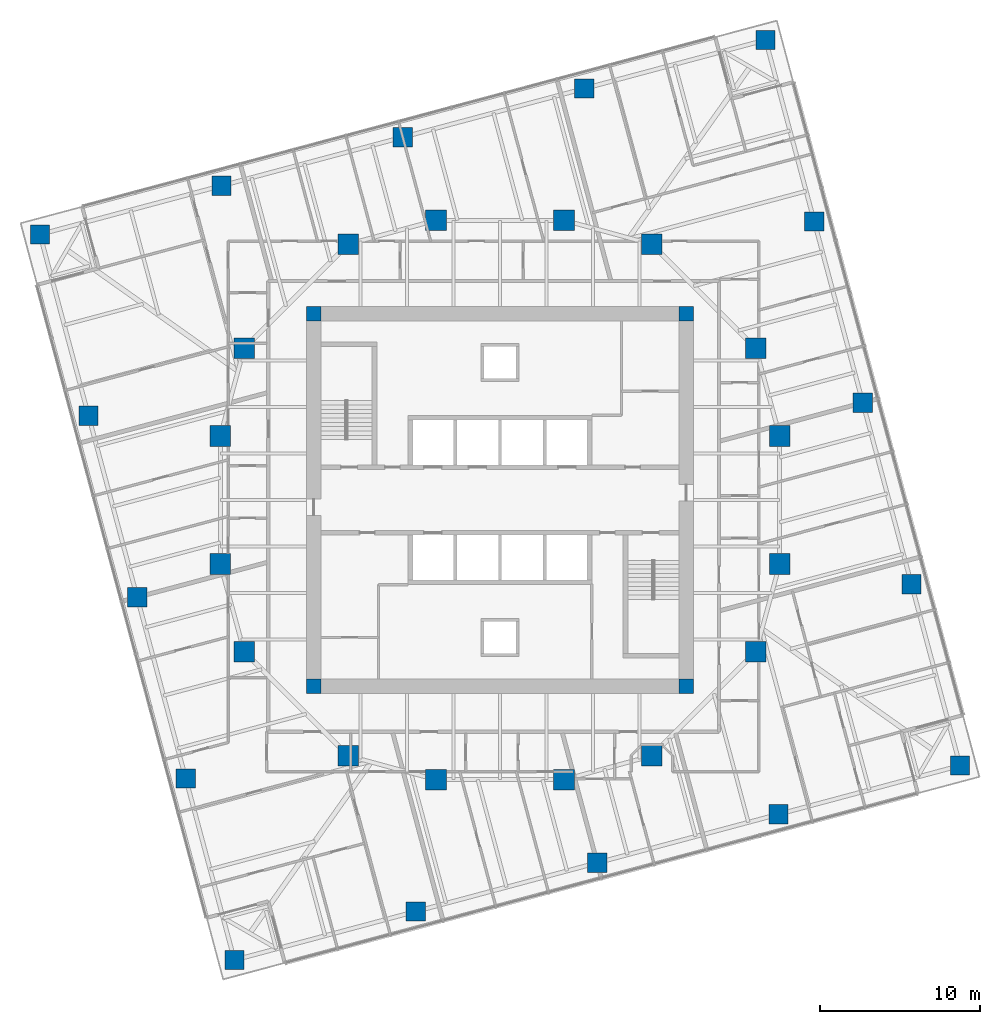
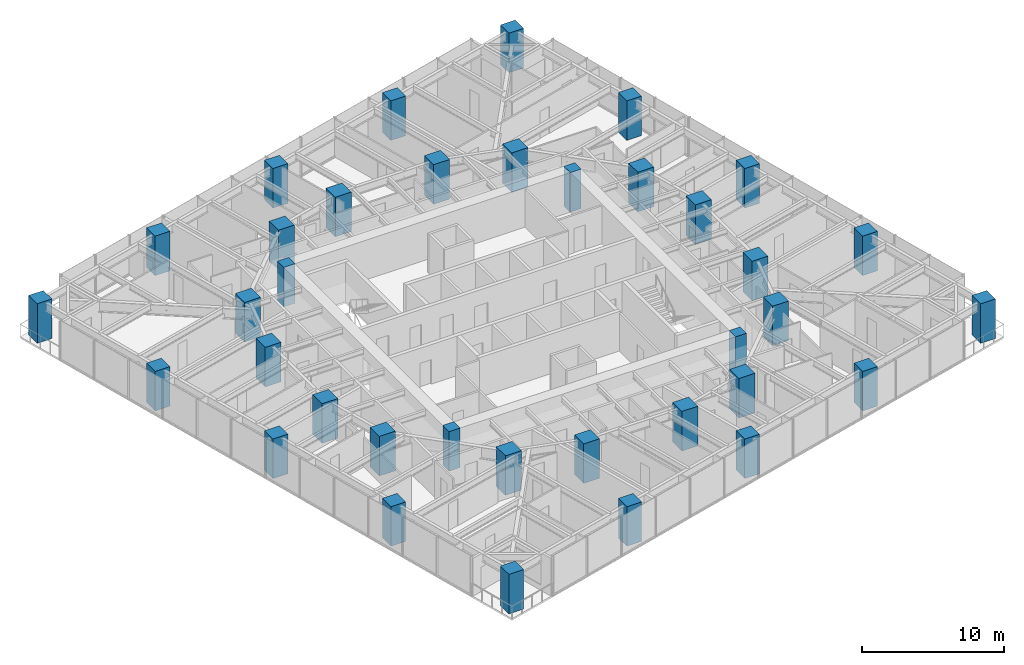
# One storey, part 1 of 14: 36 columns.
"""IFC4 building model written with IfcOpenShell, lengths in metres."""

from ifc_helpers import new_model, si_unit, direction, frame, origin, origin_2d, place, context, subcontext, project, spatial, rectangle, extrude, material, material_profile, profile_set, type_object, element, save


model = new_model("IFC4")

# Units and contexts
model_context = context("Model", 3, precision=1e-05, world=origin(), true_north=direction((0.0, 1.0)))
body_context = subcontext(model_context, "Body", "Model", "MODEL_VIEW")
ifc_project = project(units=[si_unit("LENGTHUNIT", "METRE"), si_unit("AREAUNIT", "SQUARE_METRE"), si_unit("VOLUMEUNIT", "CUBIC_METRE"), si_unit("PLANEANGLEUNIT", "RADIAN"), si_unit("MASSUNIT", "GRAM", prefix="KILO")], contexts=[model_context])

# Site, building, storey
site_placement = place(None, origin())
site = spatial("IfcSite", under=ifc_project, at=site_placement, CompositionType="ELEMENT")
building_placement = place(site_placement, origin())
building = spatial("IfcBuilding", under=site, at=building_placement, Name="Torsade Residences", CompositionType="ELEMENT")
storey_placement = place(building_placement, frame((0.0, 0.0, 125.199951171875)))
storey = spatial("IfcBuildingStorey", under=building, at=storey_placement, Name="L34", CompositionType="ELEMENT", Elevation=125.199951171875)

# Columns
ifc_material_1 = material(Name="Concrete 80 MPa", Category="concrete")
ifc_material_profile_1 = material_profile(ifc_material_1, rectangle(XDim=0.89990234375, YDim=0.89990234375, at=origin_2d()), Name="RC 900x900")
ifc_profile_set_1 = profile_set([ifc_material_profile_1], Name="Concrete 80 MPa")
column_type_1 = type_object("IfcColumnType", Name="CORE CORNER COLUMN RC 900x900", PredefinedType="COLUMN", material=ifc_profile_set_1)
for number, where, z_axis, x_axis, name in (
    (1, (28.35009765625, 18.35009765625, 0.0), (0.0, 0.0, 1.0), (1.0, 0.0, 0.0), "Core corner column CC1 L34"),
    (2, (51.64990234375, 18.35009765625, 0.0), (0.0, 0.0, 1.0), (1.0, 0.0, 0.0), "Core corner column CC2 L34"),
    (3, (51.64990234375, 41.64990234375, 0.0), (0.0, 0.0, 1.0), (1.0, 0.0, 0.0), "Core corner column CC3 L34"),
    (4, (28.35009765625, 41.64990234375, 0.0), (0.0, 0.0, 1.0), (1.0, 0.0, 0.0), "Core corner column CC4 L34"),
):
    element("IfcColumn", number, at=place(storey_placement, frame(where, z_axis=z_axis, x_axis=x_axis)), inside=storey, type_object=column_type_1, Name=name, PredefinedType="COLUMN", context=body_context, shape_type="SweptSolid", body=[
        extrude(rectangle(XDim=0.89990234375, YDim=0.89990234375, at=origin_2d()), origin(), (0.0, 0.0, 1.0), 3.400146484375),
    ])
ifc_material_2 = material(Name="Concrete 80 MPa", Category="concrete")
ifc_material_profile_2 = material_profile(ifc_material_2, rectangle(XDim=1.300048828125, YDim=1.300048828125, at=origin_2d()), Name="RC 1300x1300")
ifc_profile_set_2 = profile_set([ifc_material_profile_2], Name="Concrete 80 MPa")
column_type_2 = type_object("IfcColumnType", Name="INNER RING COLUMN RC 1300x1300", PredefinedType="COLUMN", material=ifc_profile_set_2)
for number, where, z_axis, x_axis, name in (
    (5, (57.5, 26.0, 0.0), (0.0, 0.0, 1.0), (1.0, 0.0, 0.0), "Inner ring column IR01 L34"),
    (6, (57.5, 34.0, 0.0), (0.0, 0.0, 1.0), (1.0, 0.0, 0.0), "Inner ring column IR02 L34"),
    (7, (56.0, 39.5, 0.0), (0.0, 0.0, 1.0), (1.0, 0.0, 0.0), "Inner ring column IR03 L34"),
    (8, (49.5, 46.0, 0.0), (0.0, 0.0, 1.0), (1.0, 0.0, 0.0), "Inner ring column IR04 L34"),
    (9, (44.0, 47.5, 0.0), (0.0, 0.0, 1.0), (1.0, 0.0, 0.0), "Inner ring column IR05 L34"),
    (10, (36.0, 47.5, 0.0), (0.0, 0.0, 1.0), (1.0, 0.0, 0.0), "Inner ring column IR06 L34"),
    (11, (30.5, 46.0, 0.0), (0.0, 0.0, 1.0), (1.0, 0.0, 0.0), "Inner ring column IR07 L34"),
    (12, (24.0, 39.5, 0.0), (0.0, 0.0, 1.0), (1.0, 0.0, 0.0), "Inner ring column IR08 L34"),
    (13, (22.5, 34.0, 0.0), (0.0, 0.0, 1.0), (1.0, 0.0, 0.0), "Inner ring column IR09 L34"),
    (14, (22.5, 26.0, 0.0), (0.0, 0.0, 1.0), (1.0, 0.0, 0.0), "Inner ring column IR10 L34"),
    (15, (24.0, 20.5, 0.0), (0.0, 0.0, 1.0), (1.0, 0.0, 0.0), "Inner ring column IR11 L34"),
    (16, (30.5, 14.0, 0.0), (0.0, 0.0, 1.0), (1.0, 0.0, 0.0), "Inner ring column IR12 L34"),
    (17, (36.0, 12.5, 0.0), (0.0, 0.0, 1.0), (1.0, 0.0, 0.0), "Inner ring column IR13 L34"),
    (18, (44.0, 12.5, 0.0), (0.0, 0.0, 1.0), (1.0, 0.0, 0.0), "Inner ring column IR14 L34"),
    (19, (49.5, 14.0, 0.0), (0.0, 0.0, 1.0), (1.0, 0.0, 0.0), "Inner ring column IR15 L34"),
    (20, (56.0, 20.5, 0.0), (0.0, 0.0, 1.0), (1.0, 0.0, 0.0), "Inner ring column IR16 L34"),
):
    element("IfcColumn", number, at=place(storey_placement, frame(where, z_axis=z_axis, x_axis=x_axis)), inside=storey, type_object=column_type_2, Name=name, PredefinedType="COLUMN", context=body_context, shape_type="SweptSolid", body=[
        extrude(rectangle(XDim=1.300048828125, YDim=1.300048828125, at=origin_2d()), origin(), (0.0, 0.0, 1.0), 3.400146484375),
    ])
ifc_material_3 = material(Name="Concrete 80 MPa", Category="concrete")
ifc_material_profile_3 = material_profile(ifc_material_3, rectangle(XDim=1.199951171875, YDim=1.199951171875, at=origin_2d()), Name="RC 1200x1200")
ifc_profile_set_3 = profile_set([ifc_material_profile_3], Name="Concrete 80 MPa")
column_type_3 = type_object("IfcColumnType", Name="TOWER COLUMN RC 1200x1200", PredefinedType="COLUMN", material=ifc_profile_set_3)
for number, where, z_axis, x_axis, name in (
    (21, (23.383056640625, 1.218505859375, 0.0), (0.0, 0.0, 1.0), (1.0, 0.0, 0.0), "Column TC4-01 L34"),
    (22, (34.732666015625, 4.259521484375, 0.0), (0.0, 0.0, 1.0), (1.0, 0.0, 0.0), "Column TC4-02 L34"),
    (23, (46.082275390625, 7.30078125, 0.0), (0.0, 0.0, 1.0), (1.0, 0.0, 0.0), "Column TC4-03 L34"),
    (24, (57.431884765625, 10.341796875, 0.0), (0.0, 0.0, 1.0), (1.0, 0.0, 0.0), "Column TC4-04 L34"),
    (25, (68.781494140625, 13.383056640625, 0.0), (0.0, 0.0, 1.0), (1.0, 0.0, 0.0), "Column TC4-05 L34"),
    (26, (65.740478515625, 24.732666015625, 0.0), (0.0, 0.0, 1.0), (1.0, 0.0, 0.0), "Column TC4-06 L34"),
    (27, (62.69921875, 36.082275390625, 0.0), (0.0, 0.0, 1.0), (1.0, 0.0, 0.0), "Column TC4-07 L34"),
    (28, (59.658203125, 47.431884765625, 0.0), (0.0, 0.0, 1.0), (1.0, 0.0, 0.0), "Column TC4-08 L34"),
    (29, (56.616943359375, 58.781494140625, 0.0), (0.0, 0.0, 1.0), (1.0, 0.0, 0.0), "Column TC4-09 L34"),
    (30, (45.267333984375, 55.740478515625, 0.0), (0.0, 0.0, 1.0), (1.0, 0.0, 0.0), "Column TC4-10 L34"),
    (31, (33.917724609375, 52.69921875, 0.0), (0.0, 0.0, 1.0), (1.0, 0.0, 0.0), "Column TC4-11 L34"),
    (32, (22.568115234375, 49.658203125, 0.0), (0.0, 0.0, 1.0), (1.0, 0.0, 0.0), "Column TC4-12 L34"),
    (33, (11.218505859375, 46.616943359375, 0.0), (0.0, 0.0, 1.0), (1.0, 0.0, 0.0), "Column TC4-13 L34"),
    (34, (14.259521484375, 35.267333984375, 0.0), (0.0, 0.0, 1.0), (1.0, 0.0, 0.0), "Column TC4-14 L34"),
    (35, (17.30078125, 23.917724609375, 0.0), (0.0, 0.0, 1.0), (1.0, 0.0, 0.0), "Column TC4-15 L34"),
    (36, (20.341796875, 12.568115234375, 0.0), (0.0, 0.0, 1.0), (1.0, 0.0, 0.0), "Column TC4-16 L34"),
):
    element("IfcColumn", number, at=place(storey_placement, frame(where, z_axis=z_axis, x_axis=x_axis)), inside=storey, type_object=column_type_3, Name=name, PredefinedType="COLUMN", context=body_context, shape_type="SweptSolid", body=[
        extrude(rectangle(XDim=1.199951171875, YDim=1.199951171875, at=origin_2d()), origin(), (0.0, 0.0, 1.0), 3.400146484375),
    ])

save(model, "model.ifc")
